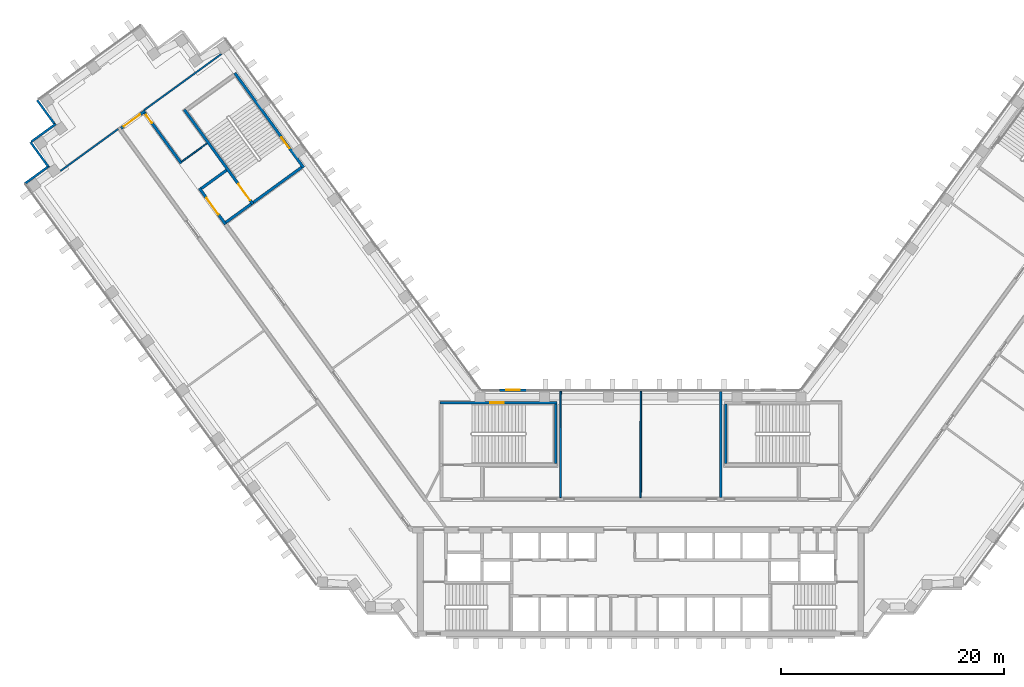
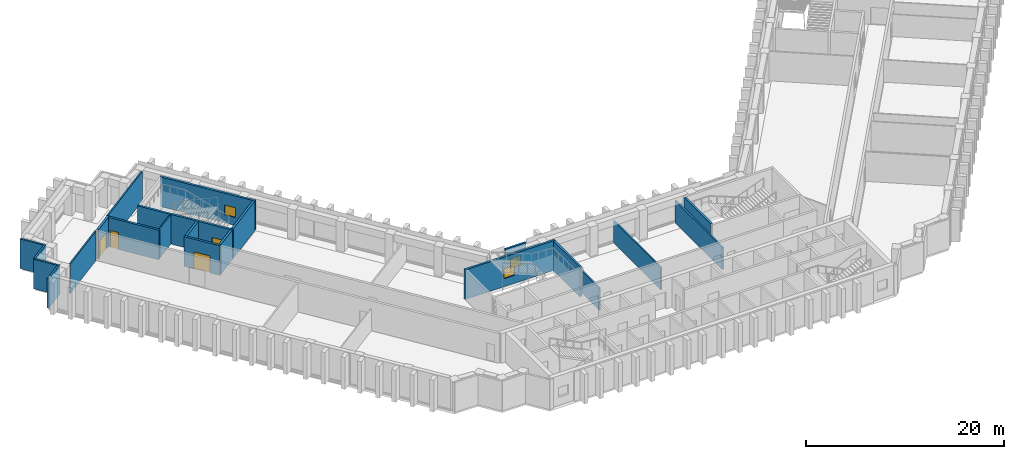
# One storey, part 7 of 13: 22 walls, 4 doors, 3 windows, 7 openings.
"""IFC4 building model written with IfcOpenShell, lengths in metres."""

import ifcopenshell
import ifcopenshell.guid

model = None  # the IFC model being written
_history = None  # IfcOwnerHistory: only IFC2X3 demands one
_inside = {}  # id of a spatial element -> (the spatial element, [elements in it])
_under = {}  # id of a project, library or spatial element -> (it, [spatial elements below it])
_declared = {}  # id of a project -> (the project, [libraries it declares])
_typed = {}  # id of a type object -> (the type object, [elements of that type])
_made_of = {}  # id of a material, layer set ... -> (it, [elements and type objects made of it])


def new_model(schema):
    """Start an empty IFC model of exactly this schema.

    Asked for "IFC4X3", IfcOpenShell would pick the latest addendum, in which some entities
    have other attributes; the version numbers below select the first issue.
    IFC2X3 requires an IfcOwnerHistory on every rooted entity: one is made here for all.
    """
    global model, _history
    if schema == "IFC4X3":
        model = ifcopenshell.file(schema_version=(4, 3, 0, 0))
    else:
        model = ifcopenshell.file(schema=schema)
    _inside.clear()
    _under.clear()
    _declared.clear()
    _typed.clear()
    _made_of.clear()
    _history = None
    if model.schema == "IFC2X3":
        org = make("IfcOrganization", Name="unknown")
        user = make(
            "IfcPersonAndOrganization",
            ThePerson=make("IfcPerson", FamilyName="unknown"),
            TheOrganization=org,
        )
        app = make(
            "IfcApplication",
            ApplicationDeveloper=org,
            Version="unknown",
            ApplicationFullName="unknown",
            ApplicationIdentifier="unknown",
        )
        _history = make(
            "IfcOwnerHistory",
            OwningUser=user,
            OwningApplication=app,
            ChangeAction="ADDED",
            CreationDate=0,
        )
    return model


def make(cls, **values):
    """One entity of the class cls with the attributes given. An attribute that is None is left unset."""
    return model.create_entity(
        cls, **{name: value for name, value in values.items() if value is not None}
    )


def rooted(cls, **values):
    """An entity with a GlobalId (a new one), such as an element, a storey or a relation."""
    return make(cls, GlobalId=ifcopenshell.guid.new(), OwnerHistory=_history, **values)


def si_unit(unit_type, name, prefix=None):
    """IfcSIUnit, for example si_unit("LENGTHUNIT", "METRE", prefix="MILLI")."""
    return make("IfcSIUnit", UnitType=unit_type, Prefix=prefix, Name=name)


def assignment(units):
    """IfcUnitAssignment: the units of a project."""
    return None if units is None else make("IfcUnitAssignment", Units=units)


def point(xyz):
    """IfcCartesianPoint."""
    return None if xyz is None else make("IfcCartesianPoint", Coordinates=xyz)


def direction(xyz):
    """IfcDirection."""
    return None if xyz is None else make("IfcDirection", DirectionRatios=xyz)


def frame(location, z_axis=None, x_axis=None):
    """IfcAxis2Placement3D, a coordinate frame: its origin and axes. An axis left out is left unset."""
    return make(
        "IfcAxis2Placement3D",
        Location=point(location),
        Axis=direction(z_axis),
        RefDirection=direction(x_axis),
    )


def frame_2d(location, x_axis=None):
    """IfcAxis2Placement2D, a coordinate frame in the plane: its origin and x axis."""
    return make(
        "IfcAxis2Placement2D", Location=point(location), RefDirection=direction(x_axis)
    )


def origin():
    """The frame at (0, 0, 0) with its axes left unset."""
    return frame((0.0, 0.0, 0.0))


def place(relative_to, where):
    """IfcLocalPlacement: puts the frame where relative to a parent placement (None: the world)."""
    return make(
        "IfcLocalPlacement", PlacementRelTo=relative_to, RelativePlacement=where
    )


def context(
    kind, dimensions, precision=None, world=None, true_north=None, identifier=None
):
    """IfcGeometricRepresentationContext, for example the 3D "Model" context."""
    return make(
        "IfcGeometricRepresentationContext",
        ContextIdentifier=identifier,
        ContextType=kind,
        CoordinateSpaceDimension=dimensions,
        Precision=precision,
        WorldCoordinateSystem=world,
        TrueNorth=true_north,
    )


def subcontext(parent, identifier, kind, view, scale=None):
    """IfcGeometricRepresentationSubContext, for example "Body" below "Model"."""
    return make(
        "IfcGeometricRepresentationSubContext",
        ContextIdentifier=identifier,
        ContextType=kind,
        ParentContext=parent,
        TargetScale=scale,
        TargetView=view,
    )


def project(units=None, contexts=None):
    """IfcProject with its units and contexts."""
    return rooted(
        "IfcProject",
        Name="project",
        RepresentationContexts=contexts,
        UnitsInContext=assignment(units),
    )


def spatial(cls, under=None, at=None, **own):
    """A site, building, storey or space (cls), placed at a placement, below another one or the project."""
    s = rooted(cls, ObjectPlacement=at, **own)
    if under is not None:
        _under.setdefault(under.id(), (under, []))[1].append(s)
    return s


def profile(cls, at=None, kind="AREA", **sizes):
    """A parametric profile (cls). Its sizes go by their IFC names, for example OverallWidth=200.0."""
    return make(cls, ProfileType=kind, Position=at, **sizes)


def rectangle(**sizes):
    """IfcRectangleProfileDef."""
    return profile("IfcRectangleProfileDef", **sizes)


def extrude(swept, where, along, depth):
    """IfcExtrudedAreaSolid: the profile swept, set in the frame where, extruded along a direction by depth."""
    return make(
        "IfcExtrudedAreaSolid",
        SweptArea=swept,
        Position=where,
        ExtrudedDirection=direction(along),
        Depth=depth,
    )


def shape(context_of_items, identifier, shape_type, items):
    """IfcShapeRepresentation: the items that make up one representation, for example the "Body"."""
    return make(
        "IfcShapeRepresentation",
        ContextOfItems=context_of_items,
        RepresentationIdentifier=identifier,
        RepresentationType=shape_type,
        Items=items,
    )


def material(Name=None, Category=None):
    """IfcMaterial."""
    return make("IfcMaterial", Name=Name, Category=Category)


def layer(
    of_material, thickness, ventilated=None, Name=None, Category=None, Priority=None
):
    """IfcMaterialLayer: one layer of a wall or slab, of a material (None: an air gap)."""
    return make(
        "IfcMaterialLayer",
        Material=of_material,
        LayerThickness=thickness,
        IsVentilated=ventilated,
        Name=Name,
        Category=Category,
        Priority=Priority,
    )


def layer_set(layers, Name=None):
    """IfcMaterialLayerSet."""
    return make("IfcMaterialLayerSet", MaterialLayers=layers, LayerSetName=Name)


def made_of(thing, what):
    """Note that an element or type object is made of a material, layer set ...; save() writes the relation."""
    if what is not None:
        _made_of.setdefault(what.id(), (what, []))[1].append(thing)
    return thing


def type_object(cls, material=None, **own):
    """A type object (cls), such as IfcWallType, which elements share."""
    return made_of(rooted(cls, **own), material)


def element(
    cls,
    number,
    at=None,
    inside=None,
    cuts=None,
    type_object=None,
    material=None,
    context=None,
    identifier="Body",
    shape_type=None,
    held_by="IfcProductDefinitionShape",
    body=None,
    shapes=None,
    **own,
):
    """One element of the class cls, such as IfcWall. Its Tag is "e" and its number.

    at: its placement. inside: the storey or other place that contains it. cuts: it is an
    opening in that element (IfcRelVoidsElement). A single representation is given by context,
    identifier, shape_type and body (its items); several are given by shapes. held_by: the class
    of the entity that holds the representations. save() writes the other relations.
    """
    e = rooted(cls, Tag="e%d" % number, ObjectPlacement=at, **own)
    if body is not None:
        shapes = [shape(context, identifier, shape_type, body)]
    if shapes is not None:
        e.Representation = make(held_by, Representations=shapes)
    if inside is not None:
        _inside.setdefault(inside.id(), (inside, []))[1].append(e)
    if cuts is not None:
        rooted(
            "IfcRelVoidsElement", RelatingBuildingElement=cuts, RelatedOpeningElement=e
        )
    if type_object is not None:
        _typed.setdefault(type_object.id(), (type_object, []))[1].append(e)
    return made_of(e, material)


def fill(opening, filler):
    """IfcRelFillsElement: the door or window that sits in an opening."""
    return rooted(
        "IfcRelFillsElement",
        RelatingOpeningElement=opening,
        RelatedBuildingElement=filler,
    )


def aggregate(whole, parts):
    """IfcRelAggregates: a whole, such as a stair, and the parts it consists of."""
    return rooted("IfcRelAggregates", RelatingObject=whole, RelatedObjects=parts)


def save(model, path):
    """Write the relations noted so far, then the file.

    IfcRelAggregates (storeys below a building ...), IfcRelContainedInSpatialStructure (elements
    in a storey), IfcRelDefinesByType, IfcRelAssociatesMaterial and IfcRelDeclares: one each for
    every whole, place, type object, material and project.
    """
    for whole, parts in _under.values():
        aggregate(whole, parts)
    for where, things in _inside.values():
        rooted(
            "IfcRelContainedInSpatialStructure",
            RelatedElements=things,
            RelatingStructure=where,
        )
    for kind, things in _typed.values():
        rooted("IfcRelDefinesByType", RelatedObjects=things, RelatingType=kind)
    for what, things in _made_of.values():
        rooted("IfcRelAssociatesMaterial", RelatedObjects=things, RelatingMaterial=what)
    for by, libraries in _declared.values():
        rooted("IfcRelDeclares", RelatingContext=by, RelatedDefinitions=libraries)
    model.write(path)


model = new_model("IFC4")

# Units and contexts
model_context = context("Model", 3, precision=1e-05, world=origin(), true_north=direction((0.0, 1.0)))
body_context = subcontext(model_context, "Body", "Model", "MODEL_VIEW")
ifc_project = project(units=[si_unit("LENGTHUNIT", "METRE"), si_unit("AREAUNIT", "SQUARE_METRE"), si_unit("VOLUMEUNIT", "CUBIC_METRE"), si_unit("PLANEANGLEUNIT", "RADIAN"), si_unit("MASSUNIT", "GRAM", prefix="KILO")], contexts=[model_context])

# Site, building, storey
site_placement = place(None, origin())
site = spatial("IfcSite", under=ifc_project, at=site_placement, CompositionType="ELEMENT")
building_placement = place(site_placement, origin())
building = spatial("IfcBuilding", under=site, at=building_placement, Name="Quipu Civic Tower", CompositionType="ELEMENT")
storey_placement = place(building_placement, frame((0.0, 0.0, 67.0)))
storey = spatial("IfcBuildingStorey", under=building, at=storey_placement, Name="L15", CompositionType="ELEMENT", Elevation=67.0)

# Walls
ifc_material_1 = material(Name="Double gypsum plasterboard with mineral wool")
ifc_layer_1 = layer(ifc_material_1, 0.14990234375)
ifc_layer_set_1 = layer_set([ifc_layer_1], Name="Double gypsum plasterboard with mineral wool")
wall_type_1 = type_object("IfcWallType", Name="Acoustic partition 150 plasterboard", PredefinedType="PARTITIONING", material=ifc_layer_set_1)
wall_1_placement = place(storey_placement, frame((0.022705078125, 11.0, 0.0), z_axis=(0.0, 0.0, 1.0), x_axis=(-0.002377476217, -0.999997173799, 0.0)))
element("IfcWall", 1, at=wall_1_placement, inside=storey, type_object=wall_type_1, Name="Partition P05", PredefinedType="PARTITIONING", context=body_context, shape_type="SweptSolid", body=[
    extrude(rectangle(XDim=9.550048828125, YDim=0.14990234375, at=frame_2d((4.77490234375, 0.0))), origin(), (0.0, 0.0, 1.0), 2.75),
])
wall_2_placement = place(storey_placement, frame((-37.614013671875, 41.2568359375, 0.0), z_axis=(0.0, 0.0, 1.0), x_axis=(-0.808991595707, -0.587820208972, 0.0)))
element("IfcWall", 2, at=wall_2_placement, inside=storey, type_object=wall_type_1, Name="Partition P07", PredefinedType="PARTITIONING", context=body_context, shape_type="SweptSolid", body=[
    extrude(rectangle(XDim=8.550537109375, YDim=0.14990234375, at=frame_2d((4.275390625, 0.0))), origin(), (0.0, 0.0, 1.0), 3.64990234375),
])
wall_3_placement = place(storey_placement, frame((-46.877197265625, 34.52587890625, 0.0), z_axis=(0.0, 0.0, 1.0), x_axis=(-0.808993566199, -0.587817497059, 0.0)))
element("IfcWall", 3, at=wall_3_placement, inside=storey, type_object=wall_type_1, Name="Partition P11", PredefinedType="PARTITIONING", context=body_context, shape_type="SweptSolid", body=[
    extrude(rectangle(XDim=6.39453125, YDim=0.14990234375, at=frame_2d((3.197265625, 0.0))), origin(), (0.0, 0.0, 1.0), 3.64990234375),
])
wall_4_placement = place(storey_placement, frame((-7.17529296875, 11.0, 0.0), z_axis=(0.0, 0.0, 1.0), x_axis=(-0.002377476217, -0.999997173799, 0.0)))
element("IfcWall", 4, at=wall_4_placement, inside=storey, type_object=wall_type_1, Name="Partition P13", PredefinedType="PARTITIONING", context=body_context, shape_type="SweptSolid", body=[
    extrude(rectangle(XDim=9.550048828125, YDim=0.14990234375, at=frame_2d((4.77490234375, 0.0))), origin(), (0.0, 0.0, 1.0), 2.75),
])
ifc_material_2 = material(Name="Fired clay blockwork", Category="masonry")
ifc_layer_2 = layer(ifc_material_2, 0.199951171875)
ifc_layer_set_2 = layer_set([ifc_layer_2], Name="Fired clay blockwork")
wall_type_2 = type_object("IfcWallType", Name="Blockwork wall 200", PredefinedType="SOLIDWALL", material=ifc_layer_set_2)
wall_5_placement = place(storey_placement, frame((7.177978515625, 1.449951171875, 0.0), z_axis=(0.0, 0.0, 1.0), x_axis=(0.0, 1.0, 0.0)))
element("IfcWall", 5, at=wall_5_placement, inside=storey, type_object=wall_type_2, Name="Partition P06", PredefinedType="SOLIDWALL", context=body_context, shape_type="SweptSolid", body=[
    extrude(rectangle(XDim=9.550048828125, YDim=0.199951171875, at=frame_2d((4.77490234375, 0.0))), origin(), (0.0, 0.0, 1.0), 2.75),
])
ifc_material_3 = material(Name="Concrete C70/85", Category="concrete")
ifc_layer_3 = layer(ifc_material_3, 0.25)
ifc_layer_set_3 = layer_set([ifc_layer_3], Name="Concrete C70/85")
wall_type_3 = type_object("IfcWallType", Name="Core wall 250", PredefinedType="SHEAR", material=ifc_layer_set_3)
wall_6_placement = place(storey_placement, frame((-7.625, 4.5, 0.0), z_axis=(0.0, 0.0, 1.0), x_axis=(0.0, 1.0, 0.0)))
element("IfcWall", 6, at=wall_6_placement, inside=storey, type_object=wall_type_3, Name="Core wall", PredefinedType="SHEAR", context=body_context, shape_type="SweptSolid", body=[
    extrude(rectangle(XDim=5.35009765625, YDim=0.25, at=frame_2d((2.675048828125, 0.0))), origin(), (0.0, 0.0, 1.0), 3.64990234375),
])

# Wall, opening, window
wall_7_placement = place(storey_placement, frame((-18.0, 9.97509765625, 0.0), z_axis=(0.0, 0.0, 1.0), x_axis=(1.0, 0.0, 0.0)))
wall_7 = element("IfcWall", 7, at=wall_7_placement, inside=storey, type_object=wall_type_3, Name="Core wall", PredefinedType="SHEAR", context=body_context, shape_type="SweptSolid", body=[
    extrude(rectangle(XDim=10.5, YDim=0.25, at=frame_2d((5.25, 0.0))), origin(), (0.0, 0.0, 1.0), 3.64990234375),
])
opening_1_placement = place(wall_7_placement, frame((4.5, 0.0, 1.0)))
opening_1 = element("IfcOpeningElement", 8, at=opening_1_placement, cuts=wall_7, Name="Opening SV-3", PredefinedType="OPENING", context=body_context, shape_type="SweptSolid", body=[
    extrude(rectangle(XDim=1.199951171875, YDim=1.199951171875, at=frame_2d((0.60009765625, 0.60009765625))), frame((0.0, 0.135009765625, 0.0), z_axis=(0.0, -1.0, 0.0), x_axis=(1.0, 0.0, 0.0)), (0.0, 0.0, 1.0), 0.27001953125),
])
ifc_material_4 = material(Name="Aluminium louvre", Category="aluminium")
window_type_1 = type_object("IfcWindowType", Name="Stair ventilation louvre 1200 x 1200", PartitioningType="SINGLE_PANEL", PredefinedType="WINDOW", material=ifc_material_4)
window_1_placement = place(opening_1_placement, origin())
window_1 = element("IfcWindow", 9, at=window_1_placement, inside=storey, type_object=window_type_1, Name="Stair ventilation opening", OverallHeight=1.199951171875, OverallWidth=1.199951171875, PartitioningType="SINGLE_PANEL", PredefinedType="WINDOW", context=body_context, shape_type="SweptSolid", body=[
    extrude(rectangle(XDim=1.199951171875, YDim=1.199951171875, at=frame_2d((0.60009765625, 0.60009765625))), frame((0.0, 0.030029296875, 0.0), z_axis=(0.0, -1.0, 0.0), x_axis=(1.0, 0.0, 0.0)), (0.0, 0.0, 1.0), 0.06005859375),
])
fill(opening_1, window_1)

# Wall
wall_8_placement = place(storey_placement, frame((7.625, 4.5, 0.0), z_axis=(0.0, 0.0, 1.0), x_axis=(0.0, 1.0, 0.0)))
element("IfcWall", 10, at=wall_8_placement, inside=storey, type_object=wall_type_3, Name="Core wall", PredefinedType="SHEAR", context=body_context, shape_type="SweptSolid", body=[
    extrude(rectangle(XDim=5.35009765625, YDim=0.25, at=frame_2d((2.675048828125, 0.0))), origin(), (0.0, 0.0, 1.0), 3.64990234375),
])

# Wall, opening, window
wall_9_placement = place(storey_placement, frame((-30.239501953125, 31.06396484375, 0.0), z_axis=(0.0, 0.0, 1.0), x_axis=(-0.587795589702, 0.809009483706, 0.0)))
wall_9 = element("IfcWall", 11, at=wall_9_placement, inside=storey, type_object=wall_type_3, Name="Core wall", PredefinedType="SHEAR", context=body_context, shape_type="SweptSolid", body=[
    extrude(rectangle(XDim=10.5, YDim=0.25, at=frame_2d((5.25, 0.0))), origin(), (0.0, 0.0, 1.0), 3.64990234375),
])
opening_2_placement = place(wall_9_placement, frame((2.14990234375, 0.0, 1.0)))
opening_2 = element("IfcOpeningElement", 12, at=opening_2_placement, cuts=wall_9, Name="Opening SV-6", PredefinedType="OPENING", context=body_context, shape_type="SweptSolid", body=[
    extrude(rectangle(XDim=1.199951171875, YDim=1.199951171875, at=frame_2d((0.60009765625, 0.60009765625))), frame((0.0, 0.135009765625, 0.0), z_axis=(0.0, -1.0, 0.0), x_axis=(1.0, 0.0, 0.0)), (0.0, 0.0, 1.0), 0.27001953125),
])
window_2_placement = place(opening_2_placement, origin())
window_2 = element("IfcWindow", 13, at=window_2_placement, inside=storey, type_object=window_type_1, Name="Stair ventilation opening", OverallHeight=1.199951171875, OverallWidth=1.199951171875, PartitioningType="SINGLE_PANEL", PredefinedType="WINDOW", context=body_context, shape_type="SweptSolid", body=[
    extrude(rectangle(XDim=1.199951171875, YDim=1.199951171875, at=frame_2d((0.60009765625, 0.60009765625))), frame((0.0, 0.030029296875, 0.0), z_axis=(0.0, -1.0, 0.0), x_axis=(1.0, 0.0, 0.0)), (0.0, 0.0, 1.0), 0.06005859375),
])
fill(opening_2, window_2)

# Wall
wall_10_placement = place(storey_placement, frame((-30.414306640625, 31.091796875, 0.0), z_axis=(0.0, 0.0, 1.0), x_axis=(-0.8089984606, -0.587810760999, 0.0)))
element("IfcWall", 14, at=wall_10_placement, inside=storey, type_object=wall_type_3, Name="Core wall", PredefinedType="SHEAR", context=body_context, shape_type="SweptSolid", body=[
    extrude(rectangle(XDim=5.35009765625, YDim=0.25, at=frame_2d((2.675048828125, 0.0))), origin(), (0.0, 0.0, 1.0), 3.64990234375),
])

# Wall, opening, door
wall_11_placement = place(storey_placement, frame((-40.94189453125, 36.26708984375, 0.0), z_axis=(0.0, 0.0, 1.0), x_axis=(0.587795589702, -0.809009483706, 0.0)))
wall_11 = element("IfcWall", 15, at=wall_11_placement, inside=storey, type_object=wall_type_3, Name="Core wall", PredefinedType="SHEAR", context=body_context, shape_type="SweptSolid", body=[
    extrude(rectangle(XDim=10.5, YDim=0.25, at=frame_2d((5.25, 0.0))), origin(), (0.0, 0.0, 1.0), 3.64990234375),
])
opening_3_placement = place(wall_11_placement, frame((8.25, 0.0, 0.0)))
opening_3 = element("IfcOpeningElement", 16, at=opening_3_placement, cuts=wall_11, Name="Opening CD-19", PredefinedType="OPENING", context=body_context, shape_type="SweptSolid", body=[
    extrude(rectangle(XDim=1.800048828125, YDim=2.10009765625, at=frame_2d((0.89990234375, 1.050048828125))), frame((0.0, 0.135009765625, 0.0), z_axis=(0.0, -1.0, 0.0), x_axis=(1.0, 0.0, 0.0)), (0.0, 0.0, 1.0), 0.27001953125),
])
ifc_material_5 = material(Name="Fire rated steel door", Category="steel")
door_type_1 = type_object("IfcDoorType", Name="Fire door FD90 double 1800 x 2100", OperationType="NOTDEFINED", PredefinedType="DOOR", material=ifc_material_5)
door_1_placement = place(opening_3_placement, origin())
door_1 = element("IfcDoor", 17, at=door_1_placement, inside=storey, type_object=door_type_1, Name="Door", OperationType="DOUBLE_DOOR_SINGLE_SWING", OverallHeight=2.10009765625, OverallWidth=1.800048828125, PredefinedType="DOOR", context=body_context, shape_type="SweptSolid", body=[
    extrude(rectangle(XDim=1.800048828125, YDim=2.10009765625, at=frame_2d((0.89990234375, 1.050048828125))), frame((0.0, 0.02490234375, 0.0), z_axis=(0.0, -1.0, 0.0), x_axis=(1.0, 0.0, 0.0)), (0.0, 0.0, 1.0), 0.050048828125),
])
fill(opening_3, door_1)

# Walls
for number, where, z_axis, x_axis, name in (
    (18, (-34.944580078125, 27.800048828125, 0.0), (0.0, 0.0, 1.0), (-0.809041377956, -0.587751689708, 0.0), "Core wall"),
    (19, (-37.14892578125, 30.833984375, 0.0), (0.0, 0.0, 1.0), (-0.808969789945, -0.58785021813, 0.0), "Core wall"),
):
    element("IfcWall", number, at=place(storey_placement, frame(where, z_axis=z_axis, x_axis=x_axis)), inside=storey, type_object=wall_type_3, Name=name, PredefinedType="SHEAR", context=body_context, shape_type="SweptSolid", body=[
        extrude(rectangle(XDim=2.800048828125, YDim=0.25, at=frame_2d((1.39990234375, 0.0))), origin(), (0.0, 0.0, 1.0), 3.64990234375),
    ])

# Wall, opening, door
wall_12_placement = place(storey_placement, frame((-39.588623046875, 29.2158203125, 0.0), z_axis=(0.0, 0.0, 1.0), x_axis=(0.587772420479, -0.809026317077, 0.0)))
wall_12 = element("IfcWall", 20, at=wall_12_placement, inside=storey, type_object=wall_type_3, Name="Core wall", PredefinedType="SHEAR", context=body_context, shape_type="SweptSolid", body=[
    extrude(rectangle(XDim=4.0, YDim=0.25, at=frame_2d((2.0, 0.0))), origin(), (0.0, 0.0, 1.0), 3.64990234375),
])
opening_4_placement = place(wall_12_placement, frame((1.10009765625, 0.0, 0.0)))
opening_4 = element("IfcOpeningElement", 21, at=opening_4_placement, cuts=wall_12, Name="Opening CD-20", PredefinedType="OPENING", context=body_context, shape_type="SweptSolid", body=[
    extrude(rectangle(XDim=1.800048828125, YDim=2.10009765625, at=frame_2d((0.89990234375, 1.050048828125))), frame((0.0, 0.135009765625, 0.0), z_axis=(0.0, -1.0, 0.0), x_axis=(1.0, 0.0, 0.0)), (0.0, 0.0, 1.0), 0.27001953125),
])
door_2_placement = place(opening_4_placement, origin())
door_2 = element("IfcDoor", 22, at=door_2_placement, inside=storey, type_object=door_type_1, Name="Lobby door", OperationType="DOUBLE_DOOR_SINGLE_SWING", OverallHeight=2.10009765625, OverallWidth=1.800048828125, PredefinedType="DOOR", context=body_context, shape_type="SweptSolid", body=[
    extrude(rectangle(XDim=1.800048828125, YDim=2.10009765625, at=frame_2d((0.89990234375, 1.050048828125))), frame((0.0, 0.02490234375, 0.0), z_axis=(0.0, -1.0, 0.0), x_axis=(1.0, 0.0, 0.0)), (0.0, 0.0, 1.0), 0.050048828125),
])
fill(opening_4, door_2)

ifc_material_6 = material(Name="Concrete C50/60", Category="concrete")
ifc_layer_4 = layer(ifc_material_6, 0.25)
ifc_layer_set_4 = layer_set([ifc_layer_4], Name="Concrete C50/60")
wall_type_4 = type_object("IfcWallType", Name="Corridor wall 250 concrete", PredefinedType="SOLIDWALL", material=ifc_layer_set_4)
wall_13_placement = place(storey_placement, frame((-46.613037109375, 34.587890625, 0.0), z_axis=(0.0, 0.0, 1.0), x_axis=(0.808994936898, 0.587815610607, 0.0)))
wall_13 = element("IfcWall", 23, at=wall_13_placement, inside=storey, type_object=wall_type_4, Name="Corridor wall C02", PredefinedType="SOLIDWALL", context=body_context, shape_type="SweptSolid", body=[
    extrude(rectangle(XDim=2.650146484375, YDim=0.25, at=frame_2d((1.3251953125, 0.0))), origin(), (0.0, 0.0, 1.0), 3.64990234375),
])
opening_5_placement = place(wall_13_placement, frame((0.29931640625, 0.0, 0.0)))
opening_5 = element("IfcOpeningElement", 24, at=opening_5_placement, cuts=wall_13, Name="Opening D021", PredefinedType="OPENING", context=body_context, shape_type="SweptSolid", body=[
    extrude(rectangle(XDim=1.800048828125, YDim=2.10009765625, at=frame_2d((0.89990234375, 1.050048828125))), frame((0.0, 0.135009765625, 0.0), z_axis=(0.0, -1.0, 0.0), x_axis=(1.0, 0.0, 0.0)), (0.0, 0.0, 1.0), 0.27001953125),
])
ifc_material_7 = material(Name="Fire rated timber door set with metal frame", Category="wood")
door_type_2 = type_object("IfcDoorType", Name="Double door 1800 x 2100 FD60", OperationType="DOUBLE_DOOR_SINGLE_SWING", PredefinedType="DOOR", material=ifc_material_7)
door_3_placement = place(opening_5_placement, origin())
door_3 = element("IfcDoor", 25, at=door_3_placement, inside=storey, type_object=door_type_2, Name="Door D021", OperationType="DOUBLE_DOOR_SINGLE_SWING", OverallHeight=2.10009765625, OverallWidth=1.800048828125, PredefinedType="DOOR", context=body_context, shape_type="SweptSolid", body=[
    extrude(rectangle(XDim=1.800048828125, YDim=2.10009765625, at=frame_2d((0.89990234375, 1.050048828125))), frame((0.0, 0.02490234375, 0.0), z_axis=(0.0, -1.0, 0.0), x_axis=(1.0, 0.0, 0.0)), (0.0, 0.0, 1.0), 0.050048828125),
])
fill(opening_5, door_3)

wall_14_placement = place(storey_placement, frame((-44.49658203125, 35.97119140625, 0.0), z_axis=(0.0, 0.0, 1.0), x_axis=(0.587742866856, -0.809047787501, 0.0)))
wall_14 = element("IfcWall", 26, at=wall_14_placement, inside=storey, type_object=wall_type_4, Name="Corridor wall C03", PredefinedType="SOLIDWALL", context=body_context, shape_type="SweptSolid", body=[
    extrude(rectangle(XDim=5.58642578125, YDim=0.25, at=frame_2d((2.793212890625, 0.0))), origin(), (0.0, 0.0, 1.0), 3.64990234375),
])
opening_6_placement = place(wall_14_placement, frame((0.224365234375, 0.0, 0.0)))
opening_6 = element("IfcOpeningElement", 27, at=opening_6_placement, cuts=wall_14, Name="Opening D015", PredefinedType="OPENING", context=body_context, shape_type="SweptSolid", body=[
    extrude(rectangle(XDim=0.89990234375, YDim=2.10009765625, at=frame_2d((0.449951171875, 1.050048828125))), frame((0.0, 0.135009765625, 0.0), z_axis=(0.0, -1.0, 0.0), x_axis=(1.0, 0.0, 0.0)), (0.0, 0.0, 1.0), 0.27001953125),
])
ifc_material_8 = material(Name="Fire rated timber door set with metal frame", Category="wood")
door_type_3 = type_object("IfcDoorType", Name="Single door 900 x 2100 FD60", OperationType="NOTDEFINED", PredefinedType="DOOR", material=ifc_material_8)
door_4_placement = place(opening_6_placement, origin())
door_4 = element("IfcDoor", 28, at=door_4_placement, inside=storey, type_object=door_type_3, Name="Door D015", OperationType="SINGLE_SWING_LEFT", OverallHeight=2.10009765625, OverallWidth=0.89990234375, PredefinedType="DOOR", context=body_context, shape_type="SweptSolid", body=[
    extrude(rectangle(XDim=0.89990234375, YDim=2.10009765625, at=frame_2d((0.449951171875, 1.050048828125))), frame((0.0, 0.02490234375, 0.0), z_axis=(0.0, -1.0, 0.0), x_axis=(1.0, 0.0, 0.0)), (0.0, 0.0, 1.0), 0.050048828125),
])
fill(opening_6, door_4)

# Walls
ifc_material_9 = material(Name="Gypsum plasterboard on light gauge framing")
ifc_layer_5 = layer(ifc_material_9, 0.1201171875)
ifc_layer_set_5 = layer_set([ifc_layer_5], Name="Gypsum plasterboard on light gauge framing")
wall_type_5 = type_object("IfcWallType", Name="Partition 120 plasterboard", PredefinedType="PARTITIONING", material=ifc_layer_set_5)
wall_15_placement = place(storey_placement, frame((-41.166015625, 31.59912109375, 0.0), z_axis=(0.0, 0.0, 1.0), x_axis=(0.809090262332, 0.587684394381, 0.0)))
element("IfcWall", 29, at=wall_15_placement, inside=storey, type_object=wall_type_5, Name="Partition P16", PredefinedType="PARTITIONING", context=body_context, shape_type="SweptSolid", body=[
    extrude(rectangle(XDim=2.80078125, YDim=0.1201171875, at=frame_2d((1.400390625, 0.0))), origin(), (0.0, 0.0, 1.0), 3.64990234375),
])
ifc_material_10 = material(Name="Precast concrete C40/50", Category="concrete")
wall_type_6 = type_object("IfcWallType", Name="Precast cladding wall", PredefinedType="SOLIDWALL", material=ifc_material_10)
wall_16_placement = place(storey_placement, frame((-52.46533203125, 34.9873046875, 0.0), z_axis=(0.0, 0.0, 1.0), x_axis=(-0.809033161865, -0.587762999008, 0.0)))
element("IfcWall", 30, at=wall_16_placement, inside=storey, type_object=wall_type_6, Name="Precast cladding wall L15 P01", PredefinedType="SOLIDWALL", context=body_context, shape_type="SweptSolid", body=[
    extrude(rectangle(XDim=2.699951171875, YDim=0.199951171875, at=frame_2d((1.35009765625, 0.0))), origin(), (0.0, 0.0, 1.0), 3.64990234375),
])
wall_17_placement = place(storey_placement, frame((-54.73779296875, 33.351318359375, 0.0), z_axis=(0.0, 0.0, 1.0), x_axis=(0.587779184282, -0.809021403008, 0.0)))
element("IfcWall", 31, at=wall_17_placement, inside=storey, type_object=wall_type_6, Name="Precast cladding wall L15 P02", PredefinedType="SOLIDWALL", context=body_context, shape_type="SweptSolid", body=[
    extrude(rectangle(XDim=2.7001953125, YDim=0.199951171875, at=frame_2d((1.35009765625, 0.0))), origin(), (0.0, 0.0, 1.0), 3.64990234375),
])
for number, where, z_axis, x_axis, name in (
    (32, (-53.062744140625, 31.2158203125, 0.0), (0.0, 0.0, 1.0), (-0.809033161865, -0.587762999008, 0.0), "Precast cladding wall L15 P03"),
    (33, (-54.140380859375, 37.12255859375, 0.0), (0.0, 0.0, 1.0), (0.587822180636, -0.808990163075, 0.0), "Precast cladding wall L15 7"),
):
    element("IfcWall", number, at=place(storey_placement, frame(where, z_axis=z_axis, x_axis=x_axis)), inside=storey, type_object=wall_type_6, Name=name, PredefinedType="SOLIDWALL", context=body_context, shape_type="SweptSolid", body=[
        extrude(rectangle(XDim=2.699951171875, YDim=0.199951171875, at=frame_2d((1.35009765625, 0.0))), origin(), (0.0, 0.0, 1.0), 3.64990234375),
    ])

# Wall, opening, window
wall_18_placement = place(storey_placement, frame((-10.263427734375, 11.10009765625, 0.0), z_axis=(0.0, 0.0, 1.0), x_axis=(-1.0, 0.0, 0.0)))
wall_18 = element("IfcWall", 34, at=wall_18_placement, inside=storey, type_object=wall_type_6, Name="Vent surround SF-L15-1", PredefinedType="SOLIDWALL", context=body_context, shape_type="SweptSolid", body=[
    extrude(rectangle(XDim=2.3916015625, YDim=0.199951171875, at=frame_2d((1.19580078125, 0.0))), origin(), (0.0, 0.0, 1.0), 3.64990234375),
])
opening_7_placement = place(wall_18_placement, frame((0.595703125, 0.0, 1.0)))
opening_7 = element("IfcOpeningElement", 35, at=opening_7_placement, cuts=wall_18, Name="Opening SF-L15-1", PredefinedType="OPENING", context=body_context, shape_type="SweptSolid", body=[
    extrude(rectangle(XDim=1.199951171875, YDim=1.199951171875, at=frame_2d((0.60009765625, 0.60009765625))), frame((0.0, 0.10986328125, 0.0), z_axis=(0.0, -1.0, 0.0), x_axis=(1.0, 0.0, 0.0)), (0.0, 0.0, 1.0), 0.219970703125),
])
ifc_material_11 = material(Name="Anodised aluminium louvre", Category="aluminium")
window_type_2 = type_object("IfcWindowType", Name="Stair vent louvre window P3", PartitioningType="SINGLE_PANEL", PredefinedType="WINDOW", material=ifc_material_11)
window_3_placement = place(opening_7_placement, origin())
window_3 = element("IfcWindow", 36, at=window_3_placement, inside=storey, type_object=window_type_2, Name="Stair vent louvre SF-L15-1", OverallHeight=1.199951171875, OverallWidth=1.199951171875, PartitioningType="SINGLE_PANEL", PredefinedType="WINDOW", context=body_context, shape_type="SweptSolid", body=[
    extrude(rectangle(XDim=1.199951171875, YDim=1.199951171875, at=frame_2d((0.60009765625, 0.60009765625))), frame((0.0, 0.030029296875, 0.0), z_axis=(0.0, -1.0, 0.0), x_axis=(1.0, 0.0, 0.0)), (0.0, 0.0, 1.0), 0.06005859375),
])
fill(opening_7, window_3)

save(model, "model.ifc")
